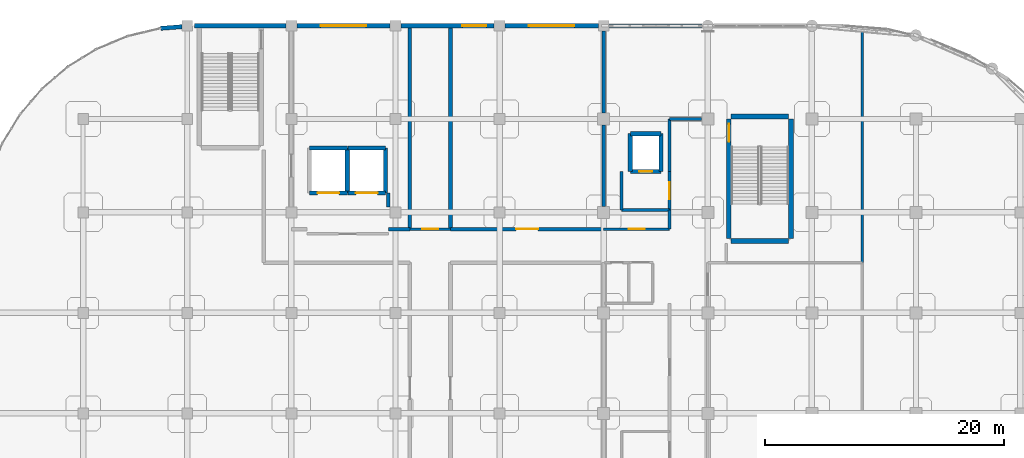
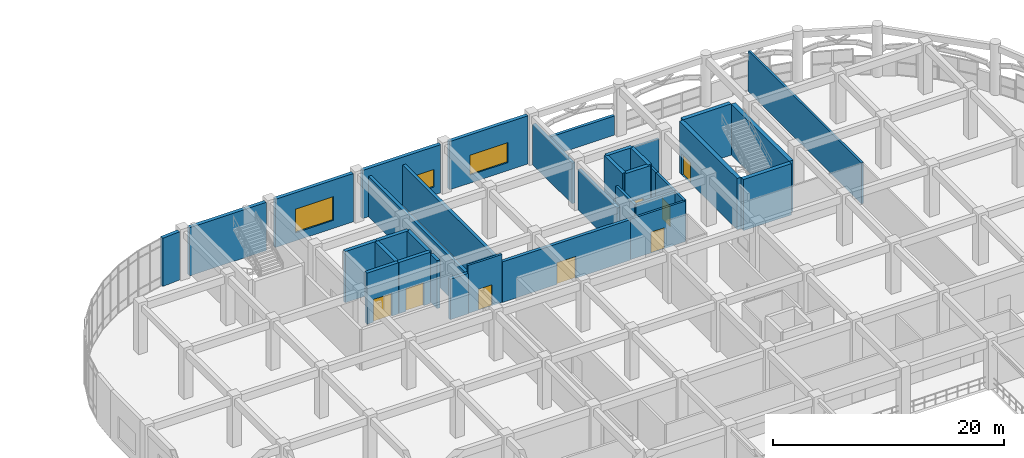
# One storey, part 98 of 114: 36 walls, 8 doors, 3 windows, 11 openings.
"""IFC4 building model written with IfcOpenShell, lengths in metres."""

from ifc_helpers import new_model, si_unit, derived_unit, direction, frame, frame_2d, origin, place, context, subcontext, project, spatial, rectangle, extrude, material, layer, layer_set, type_object, element, fill, save


model = new_model("IFC4")

# Units and contexts
model_context = context("Model", 3, precision=1e-05, world=origin(), true_north=direction((0.0, 1.0)))
body_context = subcontext(model_context, "Body", "Model", "MODEL_VIEW")
ifc_project = project(units=[si_unit("LENGTHUNIT", "METRE"), si_unit("AREAUNIT", "SQUARE_METRE"), si_unit("VOLUMEUNIT", "CUBIC_METRE"), si_unit("PLANEANGLEUNIT", "RADIAN"), si_unit("MASSUNIT", "GRAM", prefix="KILO"), derived_unit("THERMALTRANSMITTANCEUNIT", [(si_unit("MASSUNIT", "GRAM", prefix="KILO"), 1), (si_unit("TIMEUNIT", "SECOND"), -3), (si_unit("THERMODYNAMICTEMPERATUREUNIT", "KELVIN"), -1)])], contexts=[model_context])

# Site, building, storey
site_placement = place(None, origin())
site = spatial("IfcSite", under=ifc_project, at=site_placement, CompositionType="ELEMENT")
building_placement = place(site_placement, origin())
building = spatial("IfcBuilding", under=site, at=building_placement, Name="Qinzheling Arcade Emporium", CompositionType="ELEMENT")
storey_placement = place(building_placement, frame((0.0, 0.0, 6.0)))
storey = spatial("IfcBuildingStorey", under=building, at=storey_placement, Name="L02", CompositionType="ELEMENT", Elevation=6.0)

# Wall, opening, door
ifc_material_1 = material(Name="Double-stud acoustic gypsum board partition")
ifc_layer_1 = layer(ifc_material_1, 0.215087890625, Name="Double-stud acoustic gypsum board partition")
ifc_layer_set_1 = layer_set([ifc_layer_1], Name="Double-stud acoustic gypsum board partition")
wall_type_1 = type_object("IfcWallType", Name="Acoustic Corridor Partition Wall 215", PredefinedType="PARTITIONING", material=ifc_layer_set_1)
wall_1_placement = place(storey_placement, frame((104.39990234375, 97.60009765625, 0.0), z_axis=(0.0, 0.0, 1.0), x_axis=(1.0, 0.0, 0.0)))
wall_1 = element("IfcWall", 1, at=wall_1_placement, inside=storey, type_object=wall_type_1, Name="Interior Wall WL-L02-INT-0378", PredefinedType="PARTITIONING", context=body_context, shape_type="SweptSolid", body=[
    extrude(rectangle(XDim=5.5, YDim=0.215087890625, at=frame_2d((2.75, 0.0))), origin(), (0.0, 0.0, 1.0), 4.280029296875),
])
opening_1_placement = place(wall_1_placement, frame((2.074951171875, 0.0, 0.0)))
opening_1 = element("IfcOpeningElement", 2, at=opening_1_placement, cuts=wall_1, Name="Opening FD05", PredefinedType="OPENING", context=body_context, shape_type="SweptSolid", body=[
    extrude(rectangle(XDim=1.35009765625, YDim=2.199951171875, at=frame_2d((0.675048828125, 1.10009765625))), frame((0.0, 0.11767578125, 0.0), z_axis=(0.0, -1.0, 0.0), x_axis=(1.0, 0.0, 0.0)), (0.0, 0.0, 1.0), 0.235107421875),
])
ifc_material_2 = material(Name="Class B fire-rated stainless-clad door")
door_type_1 = type_object("IfcDoorType", Name="Kitchen Fire-Rated Service Door 1350x2200", OperationType="NOTDEFINED", PredefinedType="DOOR", material=ifc_material_2)
door_1_placement = place(opening_1_placement, origin())
door_1 = element("IfcDoor", 3, at=door_1_placement, inside=storey, type_object=door_type_1, Name="FD05 Interior Door DR-L02-INT-0114", OperationType="SINGLE_SWING_LEFT", OverallHeight=2.199951171875, OverallWidth=1.35009765625, PredefinedType="DOOR", context=body_context, shape_type="SweptSolid", body=[
    extrude(rectangle(XDim=1.35009765625, YDim=2.199951171875, at=frame_2d((0.675048828125, 1.10009765625))), frame((0.0, 0.02490234375, 0.0), z_axis=(0.0, -1.0, 0.0), x_axis=(1.0, 0.0, 0.0)), (0.0, 0.0, 1.0), 0.050048828125),
])
fill(opening_1, door_1)

# Walls
wall_2_placement = place(storey_placement, frame((109.89990234375, 97.60009765625, 0.0), z_axis=(0.0, 0.0, 1.0), x_axis=(0.0, 1.0, 0.0)))
element("IfcWall", 4, at=wall_2_placement, inside=storey, type_object=wall_type_1, Name="Interior Wall WL-L02-INT-0379", PredefinedType="PARTITIONING", context=body_context, shape_type="SweptSolid", body=[
    extrude(rectangle(XDim=1.599853515625, YDim=0.215087890625, at=frame_2d((0.7998046875, 0.0))), origin(), (0.0, 0.0, 1.0), 4.324951171875),
])
wall_3_placement = place(storey_placement, frame((109.89990234375, 102.419921875, 0.0), z_axis=(0.0, 0.0, 1.0), x_axis=(0.0, 1.0, 0.0)))
element("IfcWall", 5, at=wall_3_placement, inside=storey, type_object=wall_type_1, Name="Interior Wall WL-L02-INT-0380", PredefinedType="PARTITIONING", context=body_context, shape_type="SweptSolid", body=[
    extrude(rectangle(XDim=4.380126953125, YDim=0.215087890625, at=frame_2d((2.18994140625, 0.0))), origin(), (0.0, 0.0, 1.0), 4.324951171875),
])
wall_4_placement = place(storey_placement, frame((109.89990234375, 106.800048828125, 0.0), z_axis=(0.0, 0.0, 1.0), x_axis=(1.0, 0.0, 0.0)))
element("IfcWall", 6, at=wall_4_placement, inside=storey, type_object=wall_type_1, Name="Interior Wall WL-L02-INT-0381", PredefinedType="PARTITIONING", context=body_context, shape_type="SweptSolid", body=[
    extrude(rectangle(XDim=2.690185546875, YDim=0.215087890625, at=frame_2d((1.34521484375, 0.0))), origin(), (0.0, 0.0, 1.0), 4.324951171875),
])

# Wall, opening, door
wall_5_placement = place(storey_placement, frame((88.199951171875, 97.60009765625, 0.0), z_axis=(0.0, 0.0, 1.0), x_axis=(1.0, 0.0, 0.0)))
wall_5 = element("IfcWall", 7, at=wall_5_placement, inside=storey, type_object=wall_type_1, Name="Interior Wall WL-L02-INT-0384", PredefinedType="PARTITIONING", context=body_context, shape_type="SweptSolid", body=[
    extrude(rectangle(XDim=3.400146484375, YDim=0.215087890625, at=frame_2d((1.7001953125, 0.0))), origin(), (0.0, 0.0, 1.0), 5.06005859375),
])
opening_2_placement = place(wall_5_placement, frame((1.02490234375, 0.0, 0.0)))
opening_2 = element("IfcOpeningElement", 8, at=opening_2_placement, cuts=wall_5, Name="Opening FD05", PredefinedType="OPENING", context=body_context, shape_type="SweptSolid", body=[
    extrude(rectangle(XDim=1.35009765625, YDim=2.199951171875, at=frame_2d((0.675048828125, 1.10009765625))), frame((0.0, 0.11767578125, 0.0), z_axis=(0.0, -1.0, 0.0), x_axis=(1.0, 0.0, 0.0)), (0.0, 0.0, 1.0), 0.235107421875),
])
door_2_placement = place(opening_2_placement, origin())
door_2 = element("IfcDoor", 9, at=door_2_placement, inside=storey, type_object=door_type_1, Name="FD05 Interior Door DR-L02-INT-0116", OperationType="SINGLE_SWING_LEFT", OverallHeight=2.199951171875, OverallWidth=1.35009765625, PredefinedType="DOOR", context=body_context, shape_type="SweptSolid", body=[
    extrude(rectangle(XDim=1.35009765625, YDim=2.199951171875, at=frame_2d((0.675048828125, 1.10009765625))), frame((0.0, 0.02490234375, 0.0), z_axis=(0.0, -1.0, 0.0), x_axis=(1.0, 0.0, 0.0)), (0.0, 0.0, 1.0), 0.050048828125),
])
fill(opening_2, door_2)

ifc_material_3 = material(Name="Fire-rated double-stud gypsum and mineral wool wall")
ifc_layer_2 = layer(ifc_material_3, 0.2451171875, Name="Fire-rated double-stud gypsum and mineral wool wall")
ifc_layer_set_2 = layer_set([ifc_layer_2], Name="Fire-rated double-stud gypsum and mineral wool wall")
wall_type_2 = type_object("IfcWallType", Name="Firefighting Lobby Rated Wall 245", PredefinedType="STANDARD", material=ifc_layer_set_2)
wall_6_placement = place(storey_placement, frame((109.89990234375, 102.419921875, 0.0), z_axis=(0.0, 0.0, 1.0), x_axis=(0.0, -1.0, 0.0)))
wall_6 = element("IfcWall", 10, at=wall_6_placement, inside=storey, type_object=wall_type_2, Name="Interior Wall WL-L02-INT-0280", PredefinedType="STANDARD", context=body_context, shape_type="SweptSolid", body=[
    extrude(rectangle(XDim=3.219970703125, YDim=0.2451171875, at=frame_2d((1.60986328125, 0.0))), origin(), (0.0, 0.0, 1.0), 4.324951171875),
])
opening_3_placement = place(wall_6_placement, frame((0.885009765625, 0.0, 0.0)))
opening_3 = element("IfcOpeningElement", 11, at=opening_3_placement, cuts=wall_6, Name="Opening FD02", PredefinedType="OPENING", context=body_context, shape_type="SweptSolid", body=[
    extrude(rectangle(XDim=1.449951171875, YDim=2.199951171875, at=frame_2d((0.72509765625, 1.10009765625))), frame((0.0, 0.132568359375, 0.0), z_axis=(0.0, -1.0, 0.0), x_axis=(1.0, 0.0, 0.0)), (0.0, 0.0, 1.0), 0.26513671875),
])
ifc_material_4 = material(Name="Class A fire-rated steel double door", Category="steel")
door_type_2 = type_object("IfcDoorType", Name="Firefighting Lobby Fire Door 1450x2200", OperationType="DOUBLE_DOOR_SINGLE_SWING", PredefinedType="DOOR", material=ifc_material_4)
door_3_placement = place(opening_3_placement, origin())
door_3 = element("IfcDoor", 12, at=door_3_placement, inside=storey, type_object=door_type_2, Name="FD02 Interior Door DR-L02-INT-0078", OperationType="DOUBLE_DOOR_SINGLE_SWING", OverallHeight=2.199951171875, OverallWidth=1.449951171875, PredefinedType="DOOR", context=body_context, shape_type="SweptSolid", body=[
    extrude(rectangle(XDim=1.449951171875, YDim=2.199951171875, at=frame_2d((0.72509765625, 1.10009765625))), frame((0.0, 0.02490234375, 0.0), z_axis=(0.0, -1.0, 0.0), x_axis=(1.0, 0.0, 0.0)), (0.0, 0.0, 1.0), 0.050048828125),
])
fill(opening_3, door_3)

# Walls
wall_7_placement = place(storey_placement, frame((109.89990234375, 99.199951171875, 0.0), z_axis=(0.0, 0.0, 1.0), x_axis=(-1.0, 0.0, 0.0)))
element("IfcWall", 13, at=wall_7_placement, inside=storey, type_object=wall_type_2, Name="Interior Wall WL-L02-INT-0281", PredefinedType="STANDARD", context=body_context, shape_type="SweptSolid", body=[
    extrude(rectangle(XDim=4.0, YDim=0.2451171875, at=frame_2d((2.0, 0.0))), origin(), (0.0, 0.0, 1.0), 4.324951171875),
])
wall_8_placement = place(storey_placement, frame((105.89990234375, 99.199951171875, 0.0), z_axis=(0.0, 0.0, 1.0), x_axis=(0.0, 1.0, 0.0)))
element("IfcWall", 14, at=wall_8_placement, inside=storey, type_object=wall_type_2, Name="Interior Wall WL-L02-INT-0282", PredefinedType="STANDARD", context=body_context, shape_type="SweptSolid", body=[
    extrude(rectangle(XDim=3.219970703125, YDim=0.2451171875, at=frame_2d((1.60986328125, 0.0))), origin(), (0.0, 0.0, 1.0), 4.324951171875),
])
ifc_material_5 = material(Name="Fluted granite ashlar on Concrete C40", Category="masonry")
ifc_layer_3 = layer(ifc_material_5, 0.35009765625, Name="Fluted granite ashlar on Concrete C40", Category="masonry")
ifc_layer_set_3 = layer_set([ifc_layer_3], Name="Fluted granite ashlar on Concrete C40")
wall_type_3 = type_object("IfcWallType", Name="Fluted Granite Logistics Wall 350", PredefinedType="STANDARD", material=ifc_layer_set_3)
wall_9_placement = place(storey_placement, frame((67.384033203125, 114.3779296875, 0.0), z_axis=(0.0, 0.0, 1.0), x_axis=(0.996920266217, 0.078421826076, 0.0)))
element("IfcWall", 15, at=wall_9_placement, inside=storey, type_object=wall_type_3, Name="Exterior Wall WL-L02-EW-0124", PredefinedType="STANDARD", context=body_context, shape_type="SweptSolid", body=[
    extrude(rectangle(XDim=1.7744140625, YDim=0.35009765625, at=frame_2d((0.88720703125, 0.0))), origin(), (0.0, 0.0, 1.0), 5.090087890625),
])
wall_10_placement = place(storey_placement, frame((70.199951171875, 114.60009765625, 0.0), z_axis=(0.0, 0.0, 1.0), x_axis=(1.0, 0.0, 0.0)))
element("IfcWall", 16, at=wall_10_placement, inside=storey, type_object=wall_type_3, Name="Exterior Wall WL-L02-EW-0125", PredefinedType="STANDARD", context=body_context, shape_type="SweptSolid", body=[
    extrude(rectangle(XDim=7.64794921875, YDim=0.35009765625, at=frame_2d((3.823974609375, 0.0))), origin(), (0.0, 0.0, 1.0), 5.090087890625),
])

# Wall, opening, window
wall_11_placement = place(storey_placement, frame((78.751953125, 114.60009765625, 0.0), z_axis=(0.0, 0.0, 1.0), x_axis=(1.0, 0.0, 0.0)))
wall_11 = element("IfcWall", 17, at=wall_11_placement, inside=storey, type_object=wall_type_3, Name="Exterior Wall WL-L02-EW-0126", PredefinedType="STANDARD", context=body_context, shape_type="SweptSolid", body=[
    extrude(rectangle(XDim=7.796142578125, YDim=0.35009765625, at=frame_2d((3.89794921875, 0.0))), origin(), (0.0, 0.0, 1.0), 5.090087890625),
])
opening_4_placement = place(wall_11_placement, frame((1.998046875, 0.0, 0.85009765625)))
opening_4 = element("IfcOpeningElement", 18, at=opening_4_placement, cuts=wall_11, Name="Opening WN20", PredefinedType="OPENING", context=body_context, shape_type="SweptSolid", body=[
    extrude(rectangle(XDim=3.800048828125, YDim=2.5, at=frame_2d((1.89990234375, 1.25))), frame((0.0, 0.18505859375, 0.0), z_axis=(0.0, -1.0, 0.0), x_axis=(1.0, 0.0, 0.0)), (0.0, 0.0, 1.0), 0.3701171875),
])
ifc_material_6 = material(Name="Thermally broken aluminium frame with solar-control double glazing", Category="aluminium")
window_type_1 = type_object("IfcWindowType", Name="Chicago Tripartite Window 3800x2500", PartitioningType="TRIPLE_PANEL_VERTICAL", PredefinedType="WINDOW", material=ifc_material_6)
window_1_placement = place(opening_4_placement, origin())
window_1 = element("IfcWindow", 19, at=window_1_placement, inside=storey, type_object=window_type_1, Name="WN20 Window WN-L02-0030", OverallHeight=2.5, OverallWidth=3.800048828125, PartitioningType="TRIPLE_PANEL_VERTICAL", PredefinedType="WINDOW", context=body_context, shape_type="SweptSolid", body=[
    extrude(rectangle(XDim=3.800048828125, YDim=2.5, at=frame_2d((1.89990234375, 1.25))), frame((0.0, 0.030029296875, 0.0), z_axis=(0.0, -1.0, 0.0), x_axis=(1.0, 0.0, 0.0)), (0.0, 0.0, 1.0), 0.06005859375),
])
fill(opening_4, window_1)

wall_12_placement = place(storey_placement, frame((87.451904296875, 114.60009765625, 0.0), z_axis=(0.0, 0.0, 1.0), x_axis=(1.0, 0.0, 0.0)))
wall_12 = element("IfcWall", 20, at=wall_12_placement, inside=storey, type_object=wall_type_3, Name="Exterior Wall WL-L02-EW-0127", PredefinedType="STANDARD", context=body_context, shape_type="SweptSolid", body=[
    extrude(rectangle(XDim=7.796142578125, YDim=0.35009765625, at=frame_2d((3.89794921875, 0.0))), origin(), (0.0, 0.0, 1.0), 5.090087890625),
])
opening_5_placement = place(wall_12_placement, frame((5.14111328125, 0.0, 0.85009765625)))
opening_5 = element("IfcOpeningElement", 21, at=opening_5_placement, cuts=wall_12, Name="Opening WN60", PredefinedType="OPENING", context=body_context, shape_type="SweptSolid", body=[
    extrude(rectangle(XDim=2.0, YDim=1.85009765625, at=frame_2d((1.0, 0.925048828125))), frame((0.0, 0.18505859375, 0.0), z_axis=(0.0, -1.0, 0.0), x_axis=(1.0, 0.0, 0.0)), (0.0, 0.0, 1.0), 0.3701171875),
])
window_type_2 = type_object("IfcWindowType", Name="Chicago Tripartite Window 2000x1850", PartitioningType="TRIPLE_PANEL_VERTICAL", PredefinedType="WINDOW", material=ifc_material_6)
window_2_placement = place(opening_5_placement, origin())
window_2 = element("IfcWindow", 22, at=window_2_placement, inside=storey, type_object=window_type_2, Name="WN60 Window WN-L02-0031", OverallHeight=1.85009765625, OverallWidth=2.0, PartitioningType="TRIPLE_PANEL_VERTICAL", PredefinedType="WINDOW", context=body_context, shape_type="SweptSolid", body=[
    extrude(rectangle(XDim=2.0, YDim=1.85009765625, at=frame_2d((1.0, 0.925048828125))), frame((0.0, 0.030029296875, 0.0), z_axis=(0.0, -1.0, 0.0), x_axis=(1.0, 0.0, 0.0)), (0.0, 0.0, 1.0), 0.06005859375),
])
fill(opening_5, window_2)

wall_13_placement = place(storey_placement, frame((96.152099609375, 114.60009765625, 0.0), z_axis=(0.0, 0.0, 1.0), x_axis=(1.0, 0.0, 0.0)))
wall_13 = element("IfcWall", 23, at=wall_13_placement, inside=storey, type_object=wall_type_3, Name="Exterior Wall WL-L02-EW-0128", PredefinedType="STANDARD", context=body_context, shape_type="SweptSolid", body=[
    extrude(rectangle(XDim=7.7958984375, YDim=0.35009765625, at=frame_2d((3.89794921875, 0.0))), origin(), (0.0, 0.0, 1.0), 5.090087890625),
])
opening_6_placement = place(wall_13_placement, frame((1.998046875, 0.0, 0.85009765625)))
opening_6 = element("IfcOpeningElement", 24, at=opening_6_placement, cuts=wall_13, Name="Opening WN22", PredefinedType="OPENING", context=body_context, shape_type="SweptSolid", body=[
    extrude(rectangle(XDim=3.800048828125, YDim=2.10009765625, at=frame_2d((1.89990234375, 1.050048828125))), frame((0.0, 0.18505859375, 0.0), z_axis=(0.0, -1.0, 0.0), x_axis=(1.0, 0.0, 0.0)), (0.0, 0.0, 1.0), 0.3701171875),
])
window_type_3 = type_object("IfcWindowType", Name="Chicago Tripartite Window 3800x2100", PartitioningType="TRIPLE_PANEL_VERTICAL", PredefinedType="WINDOW", material=ifc_material_6)
window_3_placement = place(opening_6_placement, origin())
window_3 = element("IfcWindow", 25, at=window_3_placement, inside=storey, type_object=window_type_3, Name="WN22 Window WN-L02-0032", OverallHeight=2.10009765625, OverallWidth=3.800048828125, PartitioningType="TRIPLE_PANEL_VERTICAL", PredefinedType="WINDOW", context=body_context, shape_type="SweptSolid", body=[
    extrude(rectangle(XDim=3.800048828125, YDim=2.10009765625, at=frame_2d((1.89990234375, 1.050048828125))), frame((0.0, 0.030029296875, 0.0), z_axis=(0.0, -1.0, 0.0), x_axis=(1.0, 0.0, 0.0)), (0.0, 0.0, 1.0), 0.06005859375),
])
fill(opening_6, window_3)

# Walls
ifc_material_7 = material(Name="Acoustic gypsum gallery partition")
ifc_layer_4 = layer(ifc_material_7, 0.205078125, Name="Acoustic gypsum gallery partition")
ifc_layer_set_4 = layer_set([ifc_layer_4], Name="Acoustic gypsum gallery partition")
wall_type_4 = type_object("IfcWallType", Name="Gallery Display Partition Wall 205", PredefinedType="PARTITIONING", material=ifc_layer_set_4)
wall_14_placement = place(storey_placement, frame((126.0, 94.800048828125, 0.0), z_axis=(0.0, 0.0, 1.0), x_axis=(0.0, 1.0, 0.0)))
element("IfcWall", 26, at=wall_14_placement, inside=storey, type_object=wall_type_4, Name="Interior Wall WL-L02-INT-0426", PredefinedType="PARTITIONING", context=body_context, shape_type="SweptSolid", body=[
    extrude(rectangle(XDim=19.573974609375, YDim=0.205078125, at=frame_2d((9.787109375, 0.0))), origin(), (0.0, 0.0, 1.0), 4.324951171875),
])
ifc_material_8 = material(Name="Buff glazed terracotta insulated wall", Category="masonry")
ifc_layer_5 = layer(ifc_material_8, 0.2900390625, Name="Buff glazed terracotta insulated wall", Category="masonry")
ifc_layer_set_5 = layer_set([ifc_layer_5], Name="Buff glazed terracotta insulated wall")
wall_type_5 = type_object("IfcWallType", Name="Office Bar Terracotta Wall 290", PredefinedType="STANDARD", material=ifc_layer_set_5)
wall_15_placement = place(storey_placement, frame((104.85205078125, 114.60009765625, 0.0), z_axis=(0.0, 0.0, 1.0), x_axis=(1.0, 0.0, 0.0)))
element("IfcWall", 27, at=wall_15_placement, inside=storey, type_object=wall_type_5, Name="Exterior Wall WL-L02-EW-0129", PredefinedType="STANDARD", context=body_context, shape_type="SweptSolid", body=[
    extrude(rectangle(XDim=7.77099609375, YDim=0.2900390625, at=frame_2d((3.885498046875, 0.0))), origin(), (0.0, 0.0, 1.0), 2.02490234375),
])
ifc_material_9 = material(Name="Concrete C40", Category="concrete")
ifc_layer_6 = layer(ifc_material_9, 0.35009765625, Name="Concrete C40", Category="concrete")
ifc_layer_set_6 = layer_set([ifc_layer_6], Name="Concrete C40")
wall_type_6 = type_object("IfcWallType", Name="RC Lift Shaft Shear Wall 350 C40", PredefinedType="SHEAR", material=ifc_layer_set_6)
wall_16_placement = place(storey_placement, frame((106.625, 105.574951171875, 0.0), z_axis=(0.0, 0.0, 1.0), x_axis=(1.0, 0.0, 0.0)))
element("IfcWall", 28, at=wall_16_placement, inside=storey, type_object=wall_type_6, Name="Lift Shaft Wall WL-L02-LFT-LF03-N", PredefinedType="SHEAR", context=body_context, shape_type="SweptSolid", body=[
    extrude(rectangle(XDim=2.550048828125, YDim=0.35009765625, at=frame_2d((1.27490234375, 0.0))), origin(), (0.0, 0.0, 1.0), 5.39990234375),
])

# Wall, opening, door
wall_17_placement = place(storey_placement, frame((109.175048828125, 102.425048828125, 0.0), z_axis=(0.0, 0.0, 1.0), x_axis=(-1.0, 0.0, 0.0)))
wall_17 = element("IfcWall", 29, at=wall_17_placement, inside=storey, type_object=wall_type_6, Name="Lift Shaft Wall WL-L02-LFT-LF03-S", PredefinedType="SHEAR", context=body_context, shape_type="SweptSolid", body=[
    extrude(rectangle(XDim=2.550048828125, YDim=0.35009765625, at=frame_2d((1.27490234375, 0.0))), origin(), (0.0, 0.0, 1.0), 5.39990234375),
])
opening_7_placement = place(wall_17_placement, frame((0.72509765625, 0.0, 0.0)))
opening_7 = element("IfcOpeningElement", 30, at=opening_7_placement, cuts=wall_17, Name="Opening LD01", PredefinedType="OPENING", context=body_context, shape_type="SweptSolid", body=[
    extrude(rectangle(XDim=1.10009765625, YDim=2.199951171875, at=frame_2d((0.550048828125, 1.10009765625))), frame((0.0, 0.18505859375, 0.0), z_axis=(0.0, -1.0, 0.0), x_axis=(1.0, 0.0, 0.0)), (0.0, 0.0, 1.0), 0.3701171875),
])
ifc_material_10 = material(Name="Fire-rated stainless steel sliding lift door", Category="steel")
door_type_3 = type_object("IfcDoorType", Name="Firefighting Lift Sliding Landing Door 1100x2200", OperationType="DOUBLE_DOOR_SLIDING", PredefinedType="DOOR", material=ifc_material_10)
door_4_placement = place(opening_7_placement, origin())
door_4 = element("IfcDoor", 31, at=door_4_placement, inside=storey, type_object=door_type_3, Name="LD01 Lift Landing Door LF03 L02", OperationType="DOUBLE_DOOR_SLIDING", OverallHeight=2.199951171875, OverallWidth=1.10009765625, PredefinedType="DOOR", context=body_context, shape_type="SweptSolid", body=[
    extrude(rectangle(XDim=1.10009765625, YDim=2.199951171875, at=frame_2d((0.550048828125, 1.10009765625))), frame((0.0, 0.02490234375, 0.0), z_axis=(0.0, -1.0, 0.0), x_axis=(1.0, 0.0, 0.0)), (0.0, 0.0, 1.0), 0.050048828125),
])
fill(opening_7, door_4)

# Walls
for number, where, z_axis, x_axis, name in (
    (32, (106.625, 102.425048828125, 0.0), (0.0, 0.0, 1.0), (0.0, 1.0, 0.0), "Lift Shaft Wall WL-L02-LFT-LF03-W"),
    (33, (109.175048828125, 105.574951171875, 0.0), (0.0, 0.0, 1.0), (0.0, -1.0, 0.0), "Lift Shaft Wall WL-L02-LFT-LF03-E"),
):
    element("IfcWall", number, at=place(storey_placement, frame(where, z_axis=z_axis, x_axis=x_axis)), inside=storey, type_object=wall_type_6, Name=name, PredefinedType="SHEAR", context=body_context, shape_type="SweptSolid", body=[
        extrude(rectangle(XDim=3.14990234375, YDim=0.35009765625, at=frame_2d((1.574951171875, 0.0))), origin(), (0.0, 0.0, 1.0), 5.39990234375),
    ])
wall_18_placement = place(storey_placement, frame((79.824951171875, 104.375, 0.0), z_axis=(0.0, 0.0, 1.0), x_axis=(1.0, 0.0, 0.0)))
element("IfcWall", 34, at=wall_18_placement, inside=storey, type_object=wall_type_6, Name="Lift Shaft Wall WL-L02-LFT-LG01-N", PredefinedType="SHEAR", context=body_context, shape_type="SweptSolid", body=[
    extrude(rectangle(XDim=3.150146484375, YDim=0.35009765625, at=frame_2d((1.5751953125, 0.0))), origin(), (0.0, 0.0, 1.0), 5.39990234375),
])

# Wall, opening, door
wall_19_placement = place(storey_placement, frame((82.97509765625, 100.625, 0.0), z_axis=(0.0, 0.0, 1.0), x_axis=(-1.0, 0.0, 0.0)))
wall_19 = element("IfcWall", 35, at=wall_19_placement, inside=storey, type_object=wall_type_6, Name="Lift Shaft Wall WL-L02-LFT-LG01-S", PredefinedType="SHEAR", context=body_context, shape_type="SweptSolid", body=[
    extrude(rectangle(XDim=3.150146484375, YDim=0.35009765625, at=frame_2d((1.5751953125, 0.0))), origin(), (0.0, 0.0, 1.0), 5.39990234375),
])
opening_8_placement = place(wall_19_placement, frame((0.675048828125, 0.0, 0.0)))
opening_8 = element("IfcOpeningElement", 36, at=opening_8_placement, cuts=wall_19, Name="Opening LD03", PredefinedType="OPENING", context=body_context, shape_type="SweptSolid", body=[
    extrude(rectangle(XDim=1.800048828125, YDim=2.39990234375, at=frame_2d((0.89990234375, 1.199951171875))), frame((0.0, 0.18505859375, 0.0), z_axis=(0.0, -1.0, 0.0), x_axis=(1.0, 0.0, 0.0)), (0.0, 0.0, 1.0), 0.3701171875),
])
ifc_material_11 = material(Name="Heavy-duty galvanised steel sliding freight lift door", Category="steel")
door_type_4 = type_object("IfcDoorType", Name="Goods Lift Bi-Parting Landing Door 1800x2400", OperationType="DOUBLE_DOOR_SLIDING", PredefinedType="DOOR", material=ifc_material_11)
door_5_placement = place(opening_8_placement, origin())
door_5 = element("IfcDoor", 37, at=door_5_placement, inside=storey, type_object=door_type_4, Name="LD03 Lift Landing Door LG01 L02", OperationType="DOUBLE_DOOR_SLIDING", OverallHeight=2.39990234375, OverallWidth=1.800048828125, PredefinedType="DOOR", context=body_context, shape_type="SweptSolid", body=[
    extrude(rectangle(XDim=1.800048828125, YDim=2.39990234375, at=frame_2d((0.89990234375, 1.199951171875))), frame((0.0, 0.02490234375, 0.0), z_axis=(0.0, -1.0, 0.0), x_axis=(1.0, 0.0, 0.0)), (0.0, 0.0, 1.0), 0.050048828125),
])
fill(opening_8, door_5)

# Walls
wall_20_placement = place(storey_placement, frame((82.97509765625, 104.375, 0.0), z_axis=(0.0, 0.0, 1.0), x_axis=(0.0, -1.0, 0.0)))
element("IfcWall", 38, at=wall_20_placement, inside=storey, type_object=wall_type_6, Name="Lift Shaft Wall WL-L02-LFT-LG01-E", PredefinedType="SHEAR", context=body_context, shape_type="SweptSolid", body=[
    extrude(rectangle(XDim=3.75, YDim=0.35009765625, at=frame_2d((1.875, 0.0))), origin(), (0.0, 0.0, 1.0), 5.39990234375),
])
wall_21_placement = place(storey_placement, frame((83.02490234375, 104.375, 0.0), z_axis=(0.0, 0.0, 1.0), x_axis=(1.0, 0.0, 0.0)))
element("IfcWall", 39, at=wall_21_placement, inside=storey, type_object=wall_type_6, Name="Lift Shaft Wall WL-L02-LFT-LG02-N", PredefinedType="SHEAR", context=body_context, shape_type="SweptSolid", body=[
    extrude(rectangle(XDim=3.150146484375, YDim=0.35009765625, at=frame_2d((1.5751953125, 0.0))), origin(), (0.0, 0.0, 1.0), 5.39990234375),
])

# Wall, opening, door
wall_22_placement = place(storey_placement, frame((86.175048828125, 100.625, 0.0), z_axis=(0.0, 0.0, 1.0), x_axis=(-1.0, 0.0, 0.0)))
wall_22 = element("IfcWall", 40, at=wall_22_placement, inside=storey, type_object=wall_type_6, Name="Lift Shaft Wall WL-L02-LFT-LG02-S", PredefinedType="SHEAR", context=body_context, shape_type="SweptSolid", body=[
    extrude(rectangle(XDim=3.150146484375, YDim=0.35009765625, at=frame_2d((1.5751953125, 0.0))), origin(), (0.0, 0.0, 1.0), 5.39990234375),
])
opening_9_placement = place(wall_22_placement, frame((0.675048828125, 0.0, 0.0)))
opening_9 = element("IfcOpeningElement", 41, at=opening_9_placement, cuts=wall_22, Name="Opening LD03", PredefinedType="OPENING", context=body_context, shape_type="SweptSolid", body=[
    extrude(rectangle(XDim=1.800048828125, YDim=2.39990234375, at=frame_2d((0.89990234375, 1.199951171875))), frame((0.0, 0.18505859375, 0.0), z_axis=(0.0, -1.0, 0.0), x_axis=(1.0, 0.0, 0.0)), (0.0, 0.0, 1.0), 0.3701171875),
])
door_6_placement = place(opening_9_placement, origin())
door_6 = element("IfcDoor", 42, at=door_6_placement, inside=storey, type_object=door_type_4, Name="LD03 Lift Landing Door LG02 L02", OperationType="DOUBLE_DOOR_SLIDING", OverallHeight=2.39990234375, OverallWidth=1.800048828125, PredefinedType="DOOR", context=body_context, shape_type="SweptSolid", body=[
    extrude(rectangle(XDim=1.800048828125, YDim=2.39990234375, at=frame_2d((0.89990234375, 1.199951171875))), frame((0.0, 0.02490234375, 0.0), z_axis=(0.0, -1.0, 0.0), x_axis=(1.0, 0.0, 0.0)), (0.0, 0.0, 1.0), 0.050048828125),
])
fill(opening_9, door_6)

# Wall
wall_23_placement = place(storey_placement, frame((86.175048828125, 104.375, 0.0), z_axis=(0.0, 0.0, 1.0), x_axis=(0.0, -1.0, 0.0)))
element("IfcWall", 43, at=wall_23_placement, inside=storey, type_object=wall_type_6, Name="Lift Shaft Wall WL-L02-LFT-LG02-E", PredefinedType="SHEAR", context=body_context, shape_type="SweptSolid", body=[
    extrude(rectangle(XDim=3.75, YDim=0.35009765625, at=frame_2d((1.875, 0.0))), origin(), (0.0, 0.0, 1.0), 5.39990234375),
])

# Wall, opening, door
ifc_material_12 = material(Name="Concrete C50", Category="concrete")
ifc_layer_7 = layer(ifc_material_12, 0.39990234375, Name="Concrete C50", Category="concrete")
ifc_layer_set_7 = layer_set([ifc_layer_7], Name="Concrete C50")
wall_type_7 = type_object("IfcWallType", Name="RC Stair Core Shear Wall 400 C50", PredefinedType="SHEAR", material=ifc_layer_set_7)
wall_24_placement = place(storey_placement, frame((114.85498046875, 96.800048828125, 0.0), z_axis=(0.0, 0.0, 1.0), x_axis=(0.0, 1.0, 0.0)))
wall_24 = element("IfcWall", 44, at=wall_24_placement, inside=storey, type_object=wall_type_7, Name="Stair Core Wall WL-L02-ST08-WEST", PredefinedType="SHEAR", context=body_context, shape_type="SweptSolid", body=[
    extrude(rectangle(XDim=10.0, YDim=0.39990234375, at=frame_2d((5.0, 0.0))), origin(), (0.0, 0.0, 1.0), 5.39990234375),
])
opening_10_placement = place(wall_24_placement, frame((8.090087890625, 0.0, 0.0)))
opening_10 = element("IfcOpeningElement", 45, at=opening_10_placement, cuts=wall_24, Name="Opening FD01", PredefinedType="OPENING", context=body_context, shape_type="SweptSolid", body=[
    extrude(rectangle(XDim=1.5, YDim=2.199951171875, at=frame_2d((0.75, 1.10009765625))), frame((0.0, 0.2099609375, 0.0), z_axis=(0.0, -1.0, 0.0), x_axis=(1.0, 0.0, 0.0)), (0.0, 0.0, 1.0), 0.419921875),
])
door_type_5 = type_object("IfcDoorType", Name="Stairwell Smoke-Proof Fire Door 1500x2200", OperationType="DOUBLE_DOOR_SINGLE_SWING", PredefinedType="DOOR", material=ifc_material_4)
door_7_placement = place(opening_10_placement, origin())
door_7 = element("IfcDoor", 46, at=door_7_placement, inside=storey, type_object=door_type_5, Name="FD01 Stairwell Fire Door DR-L02-ST08-FD", OperationType="DOUBLE_DOOR_SINGLE_SWING", OverallHeight=2.199951171875, OverallWidth=1.5, PredefinedType="DOOR", context=body_context, shape_type="SweptSolid", body=[
    extrude(rectangle(XDim=1.5, YDim=2.199951171875, at=frame_2d((0.75, 1.10009765625))), frame((0.0, 0.02490234375, 0.0), z_axis=(0.0, -1.0, 0.0), x_axis=(1.0, 0.0, 0.0)), (0.0, 0.0, 1.0), 0.050048828125),
])
fill(opening_10, door_7)

# Walls
wall_25_placement = place(storey_placement, frame((120.044921875, 106.800048828125, 0.0), z_axis=(0.0, 0.0, 1.0), x_axis=(0.0, -1.0, 0.0)))
element("IfcWall", 47, at=wall_25_placement, inside=storey, type_object=wall_type_7, Name="Stair Core Wall WL-L02-ST08-EAST", PredefinedType="SHEAR", context=body_context, shape_type="SweptSolid", body=[
    extrude(rectangle(XDim=10.0, YDim=0.39990234375, at=frame_2d((5.0, 0.0))), origin(), (0.0, 0.0, 1.0), 5.39990234375),
])
for number, where, z_axis, x_axis, name in (
    (48, (119.844970703125, 96.60009765625, 0.0), (0.0, 0.0, 1.0), (-1.0, 0.0, 0.0), "Stair Core Wall WL-L02-ST08-SOUTH"),
    (49, (115.054931640625, 107.0, 0.0), (0.0, 0.0, 1.0), (1.0, 0.0, 0.0), "Stair Core Wall WL-L02-ST08-NORTH"),
):
    element("IfcWall", number, at=place(storey_placement, frame(where, z_axis=z_axis, x_axis=x_axis)), inside=storey, type_object=wall_type_7, Name=name, PredefinedType="SHEAR", context=body_context, shape_type="SweptSolid", body=[
        extrude(rectangle(XDim=4.7900390625, YDim=0.39990234375, at=frame_2d((2.39501953125, 0.0))), origin(), (0.0, 0.0, 1.0), 5.39990234375),
    ])
ifc_material_13 = material(Name="Autoclaved aerated concrete masonry with fire plaster", Category="masonry")
ifc_layer_8 = layer(ifc_material_13, 0.31005859375, Name="Autoclaved aerated concrete masonry with fire plaster", Category="masonry")
ifc_layer_set_8 = layer_set([ifc_layer_8], Name="Autoclaved aerated concrete masonry with fire plaster")
wall_type_8 = type_object("IfcWallType", Name="Retail Compartment Fire Wall 310 C40", PredefinedType="STANDARD", material=ifc_layer_set_8)
wall_26_placement = place(storey_placement, frame((86.39990234375, 100.6201171875, 0.0), z_axis=(0.0, 0.0, 1.0), x_axis=(0.0, -1.0, 0.0)))
element("IfcWall", 50, at=wall_26_placement, inside=storey, type_object=wall_type_8, Name="Interior Wall WL-L02-INT-0293", PredefinedType="STANDARD", context=body_context, shape_type="SweptSolid", body=[
    extrude(rectangle(XDim=1.16015625, YDim=0.31005859375, at=frame_2d((0.580078125, 0.0))), origin(), (0.0, 0.0, 1.0), 5.06005859375),
])
wall_27_placement = place(storey_placement, frame((86.39990234375, 97.60009765625, 0.0), z_axis=(0.0, 0.0, 1.0), x_axis=(1.0, 0.0, 0.0)))
element("IfcWall", 51, at=wall_27_placement, inside=storey, type_object=wall_type_8, Name="Interior Wall WL-L02-INT-0368", PredefinedType="STANDARD", context=body_context, shape_type="SweptSolid", body=[
    extrude(rectangle(XDim=1.800048828125, YDim=0.31005859375, at=frame_2d((0.89990234375, 0.0))), origin(), (0.0, 0.0, 1.0), 4.280029296875),
])

# Wall, opening, door
wall_28_placement = place(storey_placement, frame((91.60009765625, 97.60009765625, 0.0), z_axis=(0.0, 0.0, 1.0), x_axis=(1.0, 0.0, 0.0)))
wall_28 = element("IfcWall", 52, at=wall_28_placement, inside=storey, type_object=wall_type_8, Name="Interior Wall WL-L02-INT-0371", PredefinedType="STANDARD", context=body_context, shape_type="SweptSolid", body=[
    extrude(rectangle(XDim=12.7998046875, YDim=0.31005859375, at=frame_2d((6.39990234375, 0.0))), origin(), (0.0, 0.0, 1.0), 4.280029296875),
])
opening_11_placement = place(wall_28_placement, frame((5.47509765625, 0.0, 0.0)))
opening_11 = element("IfcOpeningElement", 53, at=opening_11_placement, cuts=wall_28, Name="Opening FD03", PredefinedType="OPENING", context=body_context, shape_type="SweptSolid", body=[
    extrude(rectangle(XDim=1.85009765625, YDim=2.300048828125, at=frame_2d((0.925048828125, 1.14990234375))), frame((0.0, 0.1650390625, 0.0), z_axis=(0.0, -1.0, 0.0), x_axis=(1.0, 0.0, 0.0)), (0.0, 0.0, 1.0), 0.330078125),
])
door_type_6 = type_object("IfcDoorType", Name="Stockroom Double Fire Door 1850x2300", OperationType="DOUBLE_DOOR_SINGLE_SWING", PredefinedType="DOOR", material=ifc_material_4)
door_8_placement = place(opening_11_placement, origin())
door_8 = element("IfcDoor", 54, at=door_8_placement, inside=storey, type_object=door_type_6, Name="FD03 Interior Door DR-L02-INT-0111", OperationType="DOUBLE_DOOR_SINGLE_SWING", OverallHeight=2.300048828125, OverallWidth=1.85009765625, PredefinedType="DOOR", context=body_context, shape_type="SweptSolid", body=[
    extrude(rectangle(XDim=1.85009765625, YDim=2.300048828125, at=frame_2d((0.925048828125, 1.14990234375))), frame((0.0, 0.02490234375, 0.0), z_axis=(0.0, -1.0, 0.0), x_axis=(1.0, 0.0, 0.0)), (0.0, 0.0, 1.0), 0.050048828125),
])
fill(opening_11, door_8)

# Walls
wall_29_placement = place(storey_placement, frame((88.199951171875, 114.419921875, 0.0), z_axis=(0.0, 0.0, 1.0), x_axis=(0.0, -1.0, 0.0)))
element("IfcWall", 55, at=wall_29_placement, inside=storey, type_object=wall_type_8, Name="Interior Wall WL-L02-INT-0415", PredefinedType="STANDARD", context=body_context, shape_type="SweptSolid", body=[
    extrude(rectangle(XDim=16.81982421875, YDim=0.31005859375, at=frame_2d((8.409912109375, 0.0))), origin(), (0.0, 0.0, 1.0), 4.280029296875),
])
wall_30_placement = place(storey_placement, frame((104.39990234375, 114.139892578125, 0.0), z_axis=(0.0, 0.0, 1.0), x_axis=(0.0, -1.0, 0.0)))
element("IfcWall", 56, at=wall_30_placement, inside=storey, type_object=wall_type_8, Name="Interior Wall WL-L02-INT-0419", PredefinedType="STANDARD", context=body_context, shape_type="SweptSolid", body=[
    extrude(rectangle(XDim=6.829833984375, YDim=0.31005859375, at=frame_2d((3.4150390625, 0.0))), origin(), (0.0, 0.0, 1.0), 4.280029296875),
])
wall_31_placement = place(storey_placement, frame((104.39990234375, 106.2900390625, 0.0), z_axis=(0.0, 0.0, 1.0), x_axis=(0.0, -1.0, 0.0)))
element("IfcWall", 57, at=wall_31_placement, inside=storey, type_object=wall_type_8, Name="Interior Wall WL-L02-INT-0420", PredefinedType="STANDARD", context=body_context, shape_type="SweptSolid", body=[
    extrude(rectangle(XDim=6.780029296875, YDim=0.31005859375, at=frame_2d((3.39013671875, 0.0))), origin(), (0.0, 0.0, 1.0), 4.280029296875),
])
wall_32_placement = place(storey_placement, frame((91.60009765625, 97.60009765625, 0.0), z_axis=(0.0, 0.0, 1.0), x_axis=(0.0, 1.0, 0.0)))
element("IfcWall", 58, at=wall_32_placement, inside=storey, type_object=wall_type_8, Name="Interior Wall WL-L02-INT-0421", PredefinedType="STANDARD", context=body_context, shape_type="SweptSolid", body=[
    extrude(rectangle(XDim=16.81982421875, YDim=0.31005859375, at=frame_2d((8.409912109375, 0.0))), origin(), (0.0, 0.0, 1.0), 4.280029296875),
])

save(model, "model.ifc")
